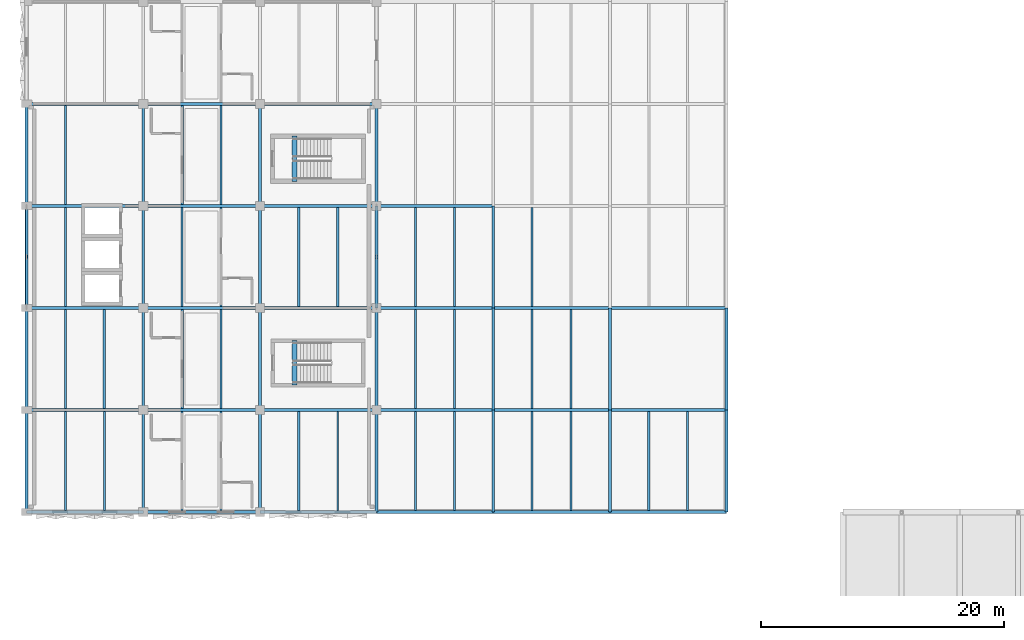
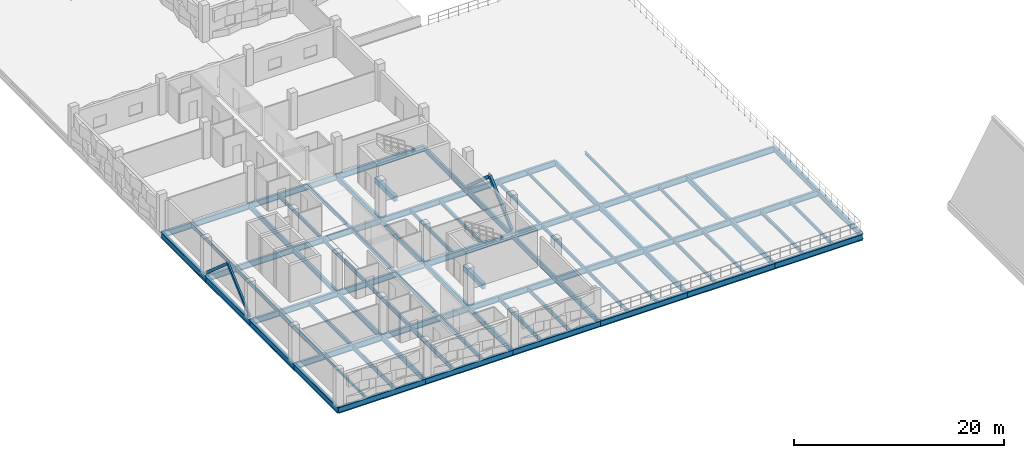
# One storey, part 3 of 86: 81 beams, 4 members.
"""IFC4 building model written with IfcOpenShell, lengths in metres."""

from ifc_helpers import new_model, si_unit, direction, frame, origin, origin_2d, place, context, subcontext, project, spatial, rectangle, hollow_rectangle, i_section, extrude, material, material_profile, profile_set, type_object, element, save


model = new_model("IFC4")

# Units and contexts
model_context = context("Model", 3, precision=1e-05, world=origin(), true_north=direction((0.0, 1.0)))
body_context = subcontext(model_context, "Body", "Model", "MODEL_VIEW")
ifc_project = project(units=[si_unit("LENGTHUNIT", "METRE"), si_unit("AREAUNIT", "SQUARE_METRE"), si_unit("VOLUMEUNIT", "CUBIC_METRE"), si_unit("PLANEANGLEUNIT", "RADIAN"), si_unit("MASSUNIT", "GRAM", prefix="KILO")], contexts=[model_context])

# Site, building, storey
site_placement = place(None, origin())
site = spatial("IfcSite", under=ifc_project, at=site_placement, CompositionType="ELEMENT")
building_placement = place(site_placement, origin())
building = spatial("IfcBuilding", under=site, at=building_placement, Name="Oolite Switchyard Hospital", CompositionType="ELEMENT")
storey_placement = place(building_placement, frame((0.0, 0.0, 13.5)))
storey = spatial("IfcBuildingStorey", under=building, at=storey_placement, Name="L03", CompositionType="ELEMENT", Elevation=13.5)

# Beams
ifc_material_1 = material(Name="Concrete C40/50", Category="concrete")
ifc_material_profile_1 = material_profile(ifc_material_1, rectangle(XDim=0.39990234375, YDim=0.60009765625, at=origin_2d()), Name="RCB400X600")
ifc_profile_set_1 = profile_set([ifc_material_profile_1], Name="Concrete C40/50")
beam_type_1 = type_object("IfcBeamType", Name="BM-RC400X600", PredefinedType="BEAM", material=ifc_profile_set_1)
beam_1_placement = place(storey_placement, frame((22.0400390625, 44.050048828125, -0.300048828125), z_axis=(0.0, 1.0, 0.0), x_axis=(-1.0, 0.0, 0.0)))
element("IfcBeam", 1, at=beam_1_placement, inside=storey, type_object=beam_type_1, Name="L03 ST-01 Stair Throat Trimmer Beam", PredefinedType="BEAM", context=body_context, shape_type="SweptSolid", body=[
    extrude(rectangle(XDim=0.39990234375, YDim=0.60009765625, at=origin_2d()), origin(), (0.0, 0.0, 1.0), 3.659912109375),
])
beam_2_placement = place(storey_placement, frame((22.0400390625, 60.824951171875, -0.300048828125), z_axis=(0.0, 1.0, 0.0), x_axis=(-1.0, 0.0, 0.0)))
element("IfcBeam", 2, at=beam_2_placement, inside=storey, type_object=beam_type_1, Name="L03 ST-02 Stair Throat Trimmer Beam", PredefinedType="BEAM", context=body_context, shape_type="SweptSolid", body=[
    extrude(rectangle(XDim=0.39990234375, YDim=0.60009765625, at=origin_2d()), origin(), (0.0, 0.0, 1.0), 3.7099609375),
])
ifc_material_2 = material(Name="Steel ASTM A992 Grade 50", Category="steel")
ifc_material_profile_2 = material_profile(ifc_material_2, i_section(OverallWidth=0.1650390625, OverallDepth=0.31005859375, WebThickness=0.006103515625, FlangeThickness=0.010009765625, at=origin_2d()), Name="W12X26")
ifc_profile_set_2 = profile_set([ifc_material_profile_2], Name="Steel ASTM A992 Grade 50")
beam_type_2 = type_object("IfcBeamType", Name="BM-W12X26", PredefinedType="JOIST", material=ifc_profile_set_2)
beam_3_placement = place(storey_placement, frame((3.199951171875, 33.72705078125, -0.429931640625), z_axis=(0.0, 1.0, 0.0), x_axis=(-1.0, 0.0, 0.0)))
element("IfcBeam", 3, at=beam_3_placement, inside=storey, type_object=beam_type_2, Name="L03 Secondary Steel Joist 2394", PredefinedType="JOIST", context=body_context, shape_type="SweptSolid", body=[
    extrude(i_section(OverallWidth=0.1650390625, OverallDepth=0.31005859375, WebThickness=0.006103515625, FlangeThickness=0.010009765625, at=origin_2d()), origin(), (0.0, 0.0, 1.0), 8.14599609375),
])
ifc_material_profile_3 = material_profile(ifc_material_2, i_section(OverallWidth=0.1708984375, OverallDepth=0.35107421875, WebThickness=0.007080078125, FlangeThickness=0.010009765625, at=origin_2d()), Name="W14X30")
ifc_profile_set_3 = profile_set([ifc_material_profile_3], Name="Steel ASTM A992 Grade 50")
beam_type_3 = type_object("IfcBeamType", Name="BM-W14X30", PredefinedType="JOIST", material=ifc_profile_set_3)
for number, where, z_axis, x_axis, name in (
    (4, (35.199951171875, 50.527099609375, -0.465087890625), (0.0, 1.0, 0.0), (-1.0, 0.0, 0.0), "L03 Secondary Steel Joist 2461"),
    (5, (44.800048828125, 42.126953125, -0.465087890625), (0.0, 1.0, 0.0), (-1.0, 0.0, 0.0), "L03 Secondary Steel Joist 2483"),
    (6, (41.60009765625, 50.527099609375, -0.465087890625), (0.0, 1.0, 0.0), (-1.0, 0.0, 0.0), "L03 Secondary Steel Joist 2484"),
    (7, (54.39990234375, 33.72705078125, -0.465087890625), (0.0, 1.0, 0.0), (-1.0, 0.0, 0.0), "L03 Secondary Steel Joist 2501"),
):
    element("IfcBeam", number, at=place(storey_placement, frame(where, z_axis=z_axis, x_axis=x_axis)), inside=storey, type_object=beam_type_3, Name=name, PredefinedType="JOIST", context=body_context, shape_type="SweptSolid", body=[
        extrude(i_section(OverallWidth=0.1708984375, OverallDepth=0.35107421875, WebThickness=0.007080078125, FlangeThickness=0.010009765625, at=origin_2d()), origin(), (0.0, 0.0, 1.0), 8.14599609375),
    ])
ifc_material_profile_4 = material_profile(ifc_material_2, i_section(OverallWidth=0.177978515625, OverallDepth=0.403076171875, WebThickness=0.008056640625, FlangeThickness=0.010986328125, at=origin_2d()), Name="W16X36")
ifc_profile_set_4 = profile_set([ifc_material_profile_4], Name="Steel ASTM A992 Grade 50")
beam_type_4 = type_object("IfcBeamType", Name="BM-W16X36", PredefinedType="JOIST", material=ifc_profile_set_4)
for number, where, z_axis, x_axis, name in (
    (8, (16.0, 58.927001953125, -0.47607421875), (0.0, 1.0, 0.0), (-1.0, 0.0, 0.0), "L03 Secondary Steel Joist 2421"),
    (9, (25.60009765625, 50.527099609375, -0.47607421875), (0.0, 1.0, 0.0), (-1.0, 0.0, 0.0), "L03 Secondary Steel Joist 2441"),
    (10, (35.199951171875, 42.126953125, -0.490966796875), (0.0, 1.0, 0.0), (-1.0, 0.0, 0.0), "L03 Secondary Steel Joist 2459"),
    (11, (32.0, 50.527099609375, -0.490966796875), (0.0, 1.0, 0.0), (-1.0, 0.0, 0.0), "L03 Secondary Steel Joist 2460"),
    (12, (44.800048828125, 33.72705078125, -0.490966796875), (0.0, 1.0, 0.0), (-1.0, 0.0, 0.0), "L03 Secondary Steel Joist 2481"),
    (13, (41.60009765625, 42.126953125, -0.490966796875), (0.0, 1.0, 0.0), (-1.0, 0.0, 0.0), "L03 Secondary Steel Joist 2482"),
    (14, (51.199951171875, 33.72705078125, -0.490966796875), (0.0, 1.0, 0.0), (-1.0, 0.0, 0.0), "L03 Secondary Steel Joist 2500"),
):
    element("IfcBeam", number, at=place(storey_placement, frame(where, z_axis=z_axis, x_axis=x_axis)), inside=storey, type_object=beam_type_4, Name=name, PredefinedType="JOIST", context=body_context, shape_type="SweptSolid", body=[
        extrude(i_section(OverallWidth=0.177978515625, OverallDepth=0.403076171875, WebThickness=0.008056640625, FlangeThickness=0.010986328125, at=origin_2d()), origin(), (0.0, 0.0, 1.0), 8.14599609375),
    ])
ifc_material_profile_5 = material_profile(ifc_material_2, i_section(OverallWidth=0.179931640625, OverallDepth=0.4130859375, WebThickness=0.010009765625, FlangeThickness=0.01611328125, at=origin_2d()), Name="W16X50")
ifc_profile_set_5 = profile_set([ifc_material_profile_5], Name="Steel ASTM A992 Grade 50")
beam_type_5 = type_object("IfcBeamType", Name="BM-W16X50", PredefinedType="JOIST", material=ifc_profile_set_5)
for number, where, z_axis, x_axis, name in (
    (15, (16.0, 50.527099609375, -0.48193359375), (0.0, 1.0, 0.0), (-1.0, 0.0, 0.0), "L03 Secondary Steel Joist 2419"),
    (16, (12.800048828125, 58.927001953125, -0.48193359375), (0.0, 1.0, 0.0), (-1.0, 0.0, 0.0), "L03 Secondary Steel Joist 2420"),
    (17, (22.39990234375, 50.527099609375, -0.48193359375), (0.0, 1.0, 0.0), (-1.0, 0.0, 0.0), "L03 Secondary Steel Joist 2440"),
    (18, (35.199951171875, 33.72705078125, -0.49609375), (0.0, 1.0, 0.0), (-1.0, 0.0, 0.0), "L03 Secondary Steel Joist 2457"),
    (19, (32.0, 42.126953125, -0.49609375), (0.0, 1.0, 0.0), (-1.0, 0.0, 0.0), "L03 Secondary Steel Joist 2458"),
    (20, (41.60009765625, 33.72705078125, -0.49609375), (0.0, 1.0, 0.0), (-1.0, 0.0, 0.0), "L03 Secondary Steel Joist 2480"),
):
    element("IfcBeam", number, at=place(storey_placement, frame(where, z_axis=z_axis, x_axis=x_axis)), inside=storey, type_object=beam_type_5, Name=name, PredefinedType="JOIST", context=body_context, shape_type="SweptSolid", body=[
        extrude(i_section(OverallWidth=0.179931640625, OverallDepth=0.4130859375, WebThickness=0.010009765625, FlangeThickness=0.01611328125, at=origin_2d()), origin(), (0.0, 0.0, 1.0), 8.14599609375),
    ])
ifc_material_profile_6 = material_profile(ifc_material_2, i_section(OverallWidth=0.153076171875, OverallDepth=0.455078125, WebThickness=0.008056640625, FlangeThickness=0.012939453125, at=origin_2d()), Name="W18X40")
ifc_profile_set_6 = profile_set([ifc_material_profile_6], Name="Steel ASTM A992 Grade 50")
beam_type_6 = type_object("IfcBeamType", Name="BM-W18X40", PredefinedType="JOIST", material=ifc_profile_set_6)
for number, where, z_axis, x_axis, name in (
    (21, (3.199951171875, 58.927001953125, -0.501953125), (0.0, 1.0, 0.0), (-1.0, 0.0, 0.0), "L03 Secondary Steel Joist 2399"),
    (22, (16.0, 42.126953125, -0.501953125), (0.0, 1.0, 0.0), (-1.0, 0.0, 0.0), "L03 Secondary Steel Joist 2417"),
    (23, (12.800048828125, 50.527099609375, -0.501953125), (0.0, 1.0, 0.0), (-1.0, 0.0, 0.0), "L03 Secondary Steel Joist 2418"),
    (24, (25.60009765625, 33.72705078125, -0.501953125), (0.0, 1.0, 0.0), (-1.0, 0.0, 0.0), "L03 Secondary Steel Joist 2439"),
    (25, (32.0, 33.72705078125, -0.51708984375), (0.0, 1.0, 0.0), (-1.0, 0.0, 0.0), "L03 Secondary Steel Joist 2456"),
):
    element("IfcBeam", number, at=place(storey_placement, frame(where, z_axis=z_axis, x_axis=x_axis)), inside=storey, type_object=beam_type_6, Name=name, PredefinedType="JOIST", context=body_context, shape_type="SweptSolid", body=[
        extrude(i_section(OverallWidth=0.153076171875, OverallDepth=0.455078125, WebThickness=0.008056640625, FlangeThickness=0.012939453125, at=origin_2d()), origin(), (0.0, 0.0, 1.0), 8.14599609375),
    ])
ifc_material_profile_7 = material_profile(ifc_material_2, i_section(OverallWidth=0.19091796875, OverallDepth=0.4599609375, WebThickness=0.010009765625, FlangeThickness=0.01611328125, at=origin_2d()), Name="W18X55")
ifc_profile_set_7 = profile_set([ifc_material_profile_7], Name="Steel ASTM A992 Grade 50")
beam_type_7 = type_object("IfcBeamType", Name="BM-W18X55", PredefinedType="JOIST", material=ifc_profile_set_7)
for number, where, z_axis, x_axis, name in (
    (26, (6.39990234375, 42.126953125, -0.5048828125), (0.0, 1.0, 0.0), (-1.0, 0.0, 0.0), "L03 Secondary Steel Joist 2397"),
    (27, (3.199951171875, 50.527099609375, -0.5048828125), (0.0, 1.0, 0.0), (-1.0, 0.0, 0.0), "L03 Secondary Steel Joist 2398"),
    (28, (16.0, 33.72705078125, -0.5048828125), (0.0, 1.0, 0.0), (-1.0, 0.0, 0.0), "L03 Secondary Steel Joist 2415"),
    (29, (12.800048828125, 42.126953125, -0.5048828125), (0.0, 1.0, 0.0), (-1.0, 0.0, 0.0), "L03 Secondary Steel Joist 2416"),
    (30, (22.39990234375, 33.72705078125, -0.5048828125), (0.0, 1.0, 0.0), (-1.0, 0.0, 0.0), "L03 Secondary Steel Joist 2438"),
):
    element("IfcBeam", number, at=place(storey_placement, frame(where, z_axis=z_axis, x_axis=x_axis)), inside=storey, type_object=beam_type_7, Name=name, PredefinedType="JOIST", context=body_context, shape_type="SweptSolid", body=[
        extrude(i_section(OverallWidth=0.19091796875, OverallDepth=0.4599609375, WebThickness=0.010009765625, FlangeThickness=0.01611328125, at=origin_2d()), origin(), (0.0, 0.0, 1.0), 8.14599609375),
    ])
ifc_material_profile_8 = material_profile(ifc_material_2, i_section(OverallWidth=0.166015625, OverallDepth=0.529052734375, WebThickness=0.010009765625, FlangeThickness=0.013916015625, at=origin_2d()), Name="W21X50")
ifc_profile_set_8 = profile_set([ifc_material_profile_8], Name="Steel ASTM A992 Grade 50")
beam_type_8 = type_object("IfcBeamType", Name="BM-W21X50", PredefinedType="JOIST", material=ifc_profile_set_8)
for number, where, z_axis, x_axis, name in (
    (31, (6.39990234375, 33.72705078125, -0.5400390625), (0.0, 1.0, 0.0), (-1.0, 0.0, 0.0), "L03 Secondary Steel Joist 2395"),
    (32, (3.199951171875, 42.126953125, -0.5400390625), (0.0, 1.0, 0.0), (-1.0, 0.0, 0.0), "L03 Secondary Steel Joist 2396"),
    (33, (12.800048828125, 33.72705078125, -0.5400390625), (0.0, 1.0, 0.0), (-1.0, 0.0, 0.0), "L03 Secondary Steel Joist 2414"),
):
    element("IfcBeam", number, at=place(storey_placement, frame(where, z_axis=z_axis, x_axis=x_axis)), inside=storey, type_object=beam_type_8, Name=name, PredefinedType="JOIST", context=body_context, shape_type="SweptSolid", body=[
        extrude(i_section(OverallWidth=0.166015625, OverallDepth=0.529052734375, WebThickness=0.010009765625, FlangeThickness=0.013916015625, at=origin_2d()), origin(), (0.0, 0.0, 1.0), 8.14599609375),
    ])
ifc_material_profile_9 = material_profile(ifc_material_2, i_section(OverallWidth=0.22900390625, OverallDepth=0.612060546875, WebThickness=0.011962890625, FlangeThickness=0.02001953125, at=origin_2d()), Name="W24X84")
ifc_profile_set_9 = profile_set([ifc_material_profile_9], Name="Steel ASTM A992 Grade 50")
beam_type_9 = type_object("IfcBeamType", Name="BM-W24X84", PredefinedType="BEAM", material=ifc_profile_set_9)
for number, where, z_axis, x_axis, name in (
    (34, (9.60009765625, 33.60009765625, -0.5810546875), (0.0, 1.0, 0.0), (-1.0, 0.0, 0.0), "L03 Y-Girder 2175"),
    (35, (9.60009765625, 42.0, -0.5810546875), (0.0, 1.0, 0.0), (-1.0, 0.0, 0.0), "L03 Y-Girder 2176"),
):
    element("IfcBeam", number, at=place(storey_placement, frame(where, z_axis=z_axis, x_axis=x_axis)), inside=storey, type_object=beam_type_9, Name=name, PredefinedType="BEAM", context=body_context, shape_type="SweptSolid", body=[
        extrude(i_section(OverallWidth=0.22900390625, OverallDepth=0.612060546875, WebThickness=0.011962890625, FlangeThickness=0.02001953125, at=origin_2d()), origin(), (0.0, 0.0, 1.0), 8.39990234375),
    ])
beam_4_placement = place(storey_placement, frame((9.60009765625, 50.39990234375, -0.5810546875), z_axis=(0.0, 1.0, 0.0), x_axis=(-1.0, 0.0, 0.0)))
element("IfcBeam", 36, at=beam_4_placement, inside=storey, type_object=beam_type_9, Name="L03 Y-Girder 2177", PredefinedType="BEAM", context=body_context, shape_type="SweptSolid", body=[
    extrude(i_section(OverallWidth=0.22900390625, OverallDepth=0.612060546875, WebThickness=0.011962890625, FlangeThickness=0.02001953125, at=origin_2d()), origin(), (0.0, 0.0, 1.0), 8.400146484375),
])
for number, where, z_axis, x_axis, name in (
    (37, (9.60009765625, 58.800048828125, -0.5810546875), (0.0, 1.0, 0.0), (-1.0, 0.0, 0.0), "L03 Y-Girder 2178"),
    (38, (19.199951171875, 33.60009765625, -0.5810546875), (0.0, 1.0, 0.0), (-1.0, 0.0, 0.0), "L03 Y-Girder 2187"),
    (39, (19.199951171875, 42.0, -0.5810546875), (0.0, 1.0, 0.0), (-1.0, 0.0, 0.0), "L03 Y-Girder 2188"),
):
    element("IfcBeam", number, at=place(storey_placement, frame(where, z_axis=z_axis, x_axis=x_axis)), inside=storey, type_object=beam_type_9, Name=name, PredefinedType="BEAM", context=body_context, shape_type="SweptSolid", body=[
        extrude(i_section(OverallWidth=0.22900390625, OverallDepth=0.612060546875, WebThickness=0.011962890625, FlangeThickness=0.02001953125, at=origin_2d()), origin(), (0.0, 0.0, 1.0), 8.39990234375),
    ])
beam_5_placement = place(storey_placement, frame((19.199951171875, 50.39990234375, -0.5810546875), z_axis=(0.0, 1.0, 0.0), x_axis=(-1.0, 0.0, 0.0)))
element("IfcBeam", 40, at=beam_5_placement, inside=storey, type_object=beam_type_9, Name="L03 Y-Girder 2189", PredefinedType="BEAM", context=body_context, shape_type="SweptSolid", body=[
    extrude(i_section(OverallWidth=0.22900390625, OverallDepth=0.612060546875, WebThickness=0.011962890625, FlangeThickness=0.02001953125, at=origin_2d()), origin(), (0.0, 0.0, 1.0), 8.400146484375),
])
for number, where, z_axis, x_axis, name in (
    (41, (19.199951171875, 58.800048828125, -0.5810546875), (0.0, 1.0, 0.0), (-1.0, 0.0, 0.0), "L03 Y-Girder 2190"),
    (42, (28.800048828125, 33.60009765625, -0.595947265625), (0.0, 1.0, 0.0), (-1.0, 0.0, 0.0), "L03 Y-Girder 2199"),
    (43, (28.800048828125, 42.0, -0.595947265625), (0.0, 1.0, 0.0), (-1.0, 0.0, 0.0), "L03 Y-Girder 2200"),
):
    element("IfcBeam", number, at=place(storey_placement, frame(where, z_axis=z_axis, x_axis=x_axis)), inside=storey, type_object=beam_type_9, Name=name, PredefinedType="BEAM", context=body_context, shape_type="SweptSolid", body=[
        extrude(i_section(OverallWidth=0.22900390625, OverallDepth=0.612060546875, WebThickness=0.011962890625, FlangeThickness=0.02001953125, at=origin_2d()), origin(), (0.0, 0.0, 1.0), 8.39990234375),
    ])
beam_6_placement = place(storey_placement, frame((28.800048828125, 50.39990234375, -0.595947265625), z_axis=(0.0, 1.0, 0.0), x_axis=(-1.0, 0.0, 0.0)))
element("IfcBeam", 44, at=beam_6_placement, inside=storey, type_object=beam_type_9, Name="L03 Y-Girder 2201", PredefinedType="BEAM", context=body_context, shape_type="SweptSolid", body=[
    extrude(i_section(OverallWidth=0.22900390625, OverallDepth=0.612060546875, WebThickness=0.011962890625, FlangeThickness=0.02001953125, at=origin_2d()), origin(), (0.0, 0.0, 1.0), 8.400146484375),
])
for number, where, z_axis, x_axis, name in (
    (45, (28.800048828125, 58.800048828125, -0.595947265625), (0.0, 1.0, 0.0), (-1.0, 0.0, 0.0), "L03 Y-Girder 2202"),
    (46, (38.39990234375, 33.60009765625, -0.595947265625), (0.0, 1.0, 0.0), (-1.0, 0.0, 0.0), "L03 Y-Girder 2211"),
    (47, (38.39990234375, 42.0, -0.595947265625), (0.0, 1.0, 0.0), (-1.0, 0.0, 0.0), "L03 Y-Girder 2212"),
):
    element("IfcBeam", number, at=place(storey_placement, frame(where, z_axis=z_axis, x_axis=x_axis)), inside=storey, type_object=beam_type_9, Name=name, PredefinedType="BEAM", context=body_context, shape_type="SweptSolid", body=[
        extrude(i_section(OverallWidth=0.22900390625, OverallDepth=0.612060546875, WebThickness=0.011962890625, FlangeThickness=0.02001953125, at=origin_2d()), origin(), (0.0, 0.0, 1.0), 8.39990234375),
    ])
beam_7_placement = place(storey_placement, frame((38.39990234375, 50.39990234375, -0.595947265625), z_axis=(0.0, 1.0, 0.0), x_axis=(-1.0, 0.0, 0.0)))
element("IfcBeam", 48, at=beam_7_placement, inside=storey, type_object=beam_type_9, Name="L03 Y-Girder 2213", PredefinedType="BEAM", context=body_context, shape_type="SweptSolid", body=[
    extrude(i_section(OverallWidth=0.22900390625, OverallDepth=0.612060546875, WebThickness=0.011962890625, FlangeThickness=0.02001953125, at=origin_2d()), origin(), (0.0, 0.0, 1.0), 8.400146484375),
])
for number, where, z_axis, x_axis, name in (
    (49, (48.0, 33.60009765625, -0.595947265625), (0.0, 1.0, 0.0), (-1.0, 0.0, 0.0), "L03 Y-Girder 2223"),
    (50, (48.0, 42.0, -0.595947265625), (0.0, 1.0, 0.0), (-1.0, 0.0, 0.0), "L03 Y-Girder 2224"),
    (51, (57.60009765625, 33.60009765625, -0.595947265625), (0.0, 1.0, 0.0), (-1.0, 0.0, 0.0), "L03 Y-Girder 2234"),
    (52, (57.60009765625, 42.0, -0.595947265625), (0.0, 1.0, 0.0), (-1.0, 0.0, 0.0), "L03 Y-Girder 2235"),
):
    element("IfcBeam", number, at=place(storey_placement, frame(where, z_axis=z_axis, x_axis=x_axis)), inside=storey, type_object=beam_type_9, Name=name, PredefinedType="BEAM", context=body_context, shape_type="SweptSolid", body=[
        extrude(i_section(OverallWidth=0.22900390625, OverallDepth=0.612060546875, WebThickness=0.011962890625, FlangeThickness=0.02001953125, at=origin_2d()), origin(), (0.0, 0.0, 1.0), 8.39990234375),
    ])
ifc_material_profile_10 = material_profile(ifc_material_2, i_section(OverallWidth=0.25390625, OverallDepth=0.68408203125, WebThickness=0.011962890625, FlangeThickness=0.01904296875, at=origin_2d()), Name="W27X94")
ifc_profile_set_10 = profile_set([ifc_material_profile_10], Name="Steel ASTM A992 Grade 50")
beam_type_10 = type_object("IfcBeamType", Name="BM-W27X94", PredefinedType="BEAM", material=ifc_profile_set_10)
beam_8_placement = place(storey_placement, frame((0.0, 33.60009765625, -0.616943359375), z_axis=(1.0, 0.0, 0.0), x_axis=(0.0, 1.0, 0.0)))
element("IfcBeam", 53, at=beam_8_placement, inside=storey, type_object=beam_type_10, Name="L03 X-Girder 1949", PredefinedType="BEAM", context=body_context, shape_type="SweptSolid", body=[
    extrude(i_section(OverallWidth=0.25390625, OverallDepth=0.68408203125, WebThickness=0.011962890625, FlangeThickness=0.01904296875, at=origin_2d()), origin(), (0.0, 0.0, 1.0), 9.60009765625),
])
beam_9_placement = place(storey_placement, frame((9.60009765625, 33.60009765625, -0.616943359375), z_axis=(1.0, 0.0, 0.0), x_axis=(0.0, 1.0, 0.0)))
element("IfcBeam", 54, at=beam_9_placement, inside=storey, type_object=beam_type_10, Name="L03 X-Girder 1950", PredefinedType="BEAM", context=body_context, shape_type="SweptSolid", body=[
    extrude(i_section(OverallWidth=0.25390625, OverallDepth=0.68408203125, WebThickness=0.011962890625, FlangeThickness=0.01904296875, at=origin_2d()), origin(), (0.0, 0.0, 1.0), 9.599853515625),
])
beam_10_placement = place(storey_placement, frame((19.199951171875, 33.60009765625, -0.616943359375), z_axis=(1.0, 0.0, 0.0), x_axis=(0.0, 1.0, 0.0)))
element("IfcBeam", 55, at=beam_10_placement, inside=storey, type_object=beam_type_10, Name="L03 X-Girder 1951", PredefinedType="BEAM", context=body_context, shape_type="SweptSolid", body=[
    extrude(i_section(OverallWidth=0.25390625, OverallDepth=0.68408203125, WebThickness=0.011962890625, FlangeThickness=0.01904296875, at=origin_2d()), origin(), (0.0, 0.0, 1.0), 9.60009765625),
])
beam_11_placement = place(storey_placement, frame((28.800048828125, 33.60009765625, -0.632080078125), z_axis=(1.0, 0.0, 0.0), x_axis=(0.0, 1.0, 0.0)))
element("IfcBeam", 56, at=beam_11_placement, inside=storey, type_object=beam_type_10, Name="L03 X-Girder 1952", PredefinedType="BEAM", context=body_context, shape_type="SweptSolid", body=[
    extrude(i_section(OverallWidth=0.25390625, OverallDepth=0.68408203125, WebThickness=0.011962890625, FlangeThickness=0.01904296875, at=origin_2d()), origin(), (0.0, 0.0, 1.0), 9.599853515625),
])
for number, where, z_axis, x_axis, name in (
    (57, (38.39990234375, 33.60009765625, -0.632080078125), (1.0, 0.0, 0.0), (0.0, 1.0, 0.0), "L03 X-Girder 1953"),
    (58, (48.0, 33.60009765625, -0.632080078125), (1.0, 0.0, 0.0), (0.0, 1.0, 0.0), "L03 X-Girder 1954"),
    (59, (0.0, 42.0, -0.616943359375), (1.0, 0.0, 0.0), (0.0, 1.0, 0.0), "L03 X-Girder 1963"),
):
    element("IfcBeam", number, at=place(storey_placement, frame(where, z_axis=z_axis, x_axis=x_axis)), inside=storey, type_object=beam_type_10, Name=name, PredefinedType="BEAM", context=body_context, shape_type="SweptSolid", body=[
        extrude(i_section(OverallWidth=0.25390625, OverallDepth=0.68408203125, WebThickness=0.011962890625, FlangeThickness=0.01904296875, at=origin_2d()), origin(), (0.0, 0.0, 1.0), 9.60009765625),
    ])
beam_12_placement = place(storey_placement, frame((9.60009765625, 42.0, -0.616943359375), z_axis=(1.0, 0.0, 0.0), x_axis=(0.0, 1.0, 0.0)))
element("IfcBeam", 60, at=beam_12_placement, inside=storey, type_object=beam_type_10, Name="L03 X-Girder 1964", PredefinedType="BEAM", context=body_context, shape_type="SweptSolid", body=[
    extrude(i_section(OverallWidth=0.25390625, OverallDepth=0.68408203125, WebThickness=0.011962890625, FlangeThickness=0.01904296875, at=origin_2d()), origin(), (0.0, 0.0, 1.0), 9.599853515625),
])
beam_13_placement = place(storey_placement, frame((19.199951171875, 42.0, -0.616943359375), z_axis=(1.0, 0.0, 0.0), x_axis=(0.0, 1.0, 0.0)))
element("IfcBeam", 61, at=beam_13_placement, inside=storey, type_object=beam_type_10, Name="L03 X-Girder 1965", PredefinedType="BEAM", context=body_context, shape_type="SweptSolid", body=[
    extrude(i_section(OverallWidth=0.25390625, OverallDepth=0.68408203125, WebThickness=0.011962890625, FlangeThickness=0.01904296875, at=origin_2d()), origin(), (0.0, 0.0, 1.0), 9.60009765625),
])
beam_14_placement = place(storey_placement, frame((28.800048828125, 42.0, -0.632080078125), z_axis=(1.0, 0.0, 0.0), x_axis=(0.0, 1.0, 0.0)))
element("IfcBeam", 62, at=beam_14_placement, inside=storey, type_object=beam_type_10, Name="L03 X-Girder 1966", PredefinedType="BEAM", context=body_context, shape_type="SweptSolid", body=[
    extrude(i_section(OverallWidth=0.25390625, OverallDepth=0.68408203125, WebThickness=0.011962890625, FlangeThickness=0.01904296875, at=origin_2d()), origin(), (0.0, 0.0, 1.0), 9.599853515625),
])
for number, where, z_axis, x_axis, name in (
    (63, (38.39990234375, 42.0, -0.632080078125), (1.0, 0.0, 0.0), (0.0, 1.0, 0.0), "L03 X-Girder 1967"),
    (64, (48.0, 42.0, -0.632080078125), (1.0, 0.0, 0.0), (0.0, 1.0, 0.0), "L03 X-Girder 1968"),
    (65, (0.0, 50.39990234375, -0.616943359375), (1.0, 0.0, 0.0), (0.0, 1.0, 0.0), "L03 X-Girder 1975"),
):
    element("IfcBeam", number, at=place(storey_placement, frame(where, z_axis=z_axis, x_axis=x_axis)), inside=storey, type_object=beam_type_10, Name=name, PredefinedType="BEAM", context=body_context, shape_type="SweptSolid", body=[
        extrude(i_section(OverallWidth=0.25390625, OverallDepth=0.68408203125, WebThickness=0.011962890625, FlangeThickness=0.01904296875, at=origin_2d()), origin(), (0.0, 0.0, 1.0), 9.60009765625),
    ])
beam_15_placement = place(storey_placement, frame((9.60009765625, 50.39990234375, -0.616943359375), z_axis=(1.0, 0.0, 0.0), x_axis=(0.0, 1.0, 0.0)))
element("IfcBeam", 66, at=beam_15_placement, inside=storey, type_object=beam_type_10, Name="L03 X-Girder 1976", PredefinedType="BEAM", context=body_context, shape_type="SweptSolid", body=[
    extrude(i_section(OverallWidth=0.25390625, OverallDepth=0.68408203125, WebThickness=0.011962890625, FlangeThickness=0.01904296875, at=origin_2d()), origin(), (0.0, 0.0, 1.0), 9.599853515625),
])
beam_16_placement = place(storey_placement, frame((19.199951171875, 50.39990234375, -0.616943359375), z_axis=(1.0, 0.0, 0.0), x_axis=(0.0, 1.0, 0.0)))
element("IfcBeam", 67, at=beam_16_placement, inside=storey, type_object=beam_type_10, Name="L03 X-Girder 1977", PredefinedType="BEAM", context=body_context, shape_type="SweptSolid", body=[
    extrude(i_section(OverallWidth=0.25390625, OverallDepth=0.68408203125, WebThickness=0.011962890625, FlangeThickness=0.01904296875, at=origin_2d()), origin(), (0.0, 0.0, 1.0), 9.60009765625),
])
beam_17_placement = place(storey_placement, frame((28.800048828125, 50.39990234375, -0.632080078125), z_axis=(1.0, 0.0, 0.0), x_axis=(0.0, 1.0, 0.0)))
element("IfcBeam", 68, at=beam_17_placement, inside=storey, type_object=beam_type_10, Name="L03 X-Girder 1978", PredefinedType="BEAM", context=body_context, shape_type="SweptSolid", body=[
    extrude(i_section(OverallWidth=0.25390625, OverallDepth=0.68408203125, WebThickness=0.011962890625, FlangeThickness=0.01904296875, at=origin_2d()), origin(), (0.0, 0.0, 1.0), 9.599853515625),
])
for number, where, z_axis, x_axis, name in (
    (69, (38.39990234375, 50.39990234375, -0.632080078125), (1.0, 0.0, 0.0), (0.0, 1.0, 0.0), "L03 X-Girder 1979"),
    (70, (48.0, 50.39990234375, -0.632080078125), (1.0, 0.0, 0.0), (0.0, 1.0, 0.0), "L03 X-Girder 1980"),
    (71, (0.0, 58.800048828125, -0.616943359375), (1.0, 0.0, 0.0), (0.0, 1.0, 0.0), "L03 X-Girder 1991"),
):
    element("IfcBeam", number, at=place(storey_placement, frame(where, z_axis=z_axis, x_axis=x_axis)), inside=storey, type_object=beam_type_10, Name=name, PredefinedType="BEAM", context=body_context, shape_type="SweptSolid", body=[
        extrude(i_section(OverallWidth=0.25390625, OverallDepth=0.68408203125, WebThickness=0.011962890625, FlangeThickness=0.01904296875, at=origin_2d()), origin(), (0.0, 0.0, 1.0), 9.60009765625),
    ])
beam_18_placement = place(storey_placement, frame((9.60009765625, 58.800048828125, -0.616943359375), z_axis=(1.0, 0.0, 0.0), x_axis=(0.0, 1.0, 0.0)))
element("IfcBeam", 72, at=beam_18_placement, inside=storey, type_object=beam_type_10, Name="L03 X-Girder 1992", PredefinedType="BEAM", context=body_context, shape_type="SweptSolid", body=[
    extrude(i_section(OverallWidth=0.25390625, OverallDepth=0.68408203125, WebThickness=0.011962890625, FlangeThickness=0.01904296875, at=origin_2d()), origin(), (0.0, 0.0, 1.0), 9.599853515625),
])
beam_19_placement = place(storey_placement, frame((19.199951171875, 58.800048828125, -0.616943359375), z_axis=(1.0, 0.0, 0.0), x_axis=(0.0, 1.0, 0.0)))
element("IfcBeam", 73, at=beam_19_placement, inside=storey, type_object=beam_type_10, Name="L03 X-Girder 1993", PredefinedType="BEAM", context=body_context, shape_type="SweptSolid", body=[
    extrude(i_section(OverallWidth=0.25390625, OverallDepth=0.68408203125, WebThickness=0.011962890625, FlangeThickness=0.01904296875, at=origin_2d()), origin(), (0.0, 0.0, 1.0), 9.60009765625),
])
beam_20_placement = place(storey_placement, frame((28.800048828125, 58.800048828125, -0.632080078125), z_axis=(1.0, 0.0, 0.0), x_axis=(0.0, 1.0, 0.0)))
element("IfcBeam", 74, at=beam_20_placement, inside=storey, type_object=beam_type_10, Name="L03 X-Girder 1994", PredefinedType="BEAM", context=body_context, shape_type="SweptSolid", body=[
    extrude(i_section(OverallWidth=0.25390625, OverallDepth=0.68408203125, WebThickness=0.011962890625, FlangeThickness=0.01904296875, at=origin_2d()), origin(), (0.0, 0.0, 1.0), 9.599853515625),
])
beam_21_placement = place(storey_placement, frame((0.0, 67.199951171875, -0.616943359375), z_axis=(1.0, 0.0, 0.0), x_axis=(0.0, 1.0, 0.0)))
element("IfcBeam", 75, at=beam_21_placement, inside=storey, type_object=beam_type_10, Name="L03 X-Girder 2007", PredefinedType="BEAM", context=body_context, shape_type="SweptSolid", body=[
    extrude(i_section(OverallWidth=0.25390625, OverallDepth=0.68408203125, WebThickness=0.011962890625, FlangeThickness=0.01904296875, at=origin_2d()), origin(), (0.0, 0.0, 1.0), 9.60009765625),
])
beam_22_placement = place(storey_placement, frame((9.60009765625, 67.199951171875, -0.616943359375), z_axis=(1.0, 0.0, 0.0), x_axis=(0.0, 1.0, 0.0)))
element("IfcBeam", 76, at=beam_22_placement, inside=storey, type_object=beam_type_10, Name="L03 X-Girder 2008", PredefinedType="BEAM", context=body_context, shape_type="SweptSolid", body=[
    extrude(i_section(OverallWidth=0.25390625, OverallDepth=0.68408203125, WebThickness=0.011962890625, FlangeThickness=0.01904296875, at=origin_2d()), origin(), (0.0, 0.0, 1.0), 9.599853515625),
])
beam_23_placement = place(storey_placement, frame((19.199951171875, 67.199951171875, -0.616943359375), z_axis=(1.0, 0.0, 0.0), x_axis=(0.0, 1.0, 0.0)))
element("IfcBeam", 77, at=beam_23_placement, inside=storey, type_object=beam_type_10, Name="L03 X-Girder 2009", PredefinedType="BEAM", context=body_context, shape_type="SweptSolid", body=[
    extrude(i_section(OverallWidth=0.25390625, OverallDepth=0.68408203125, WebThickness=0.011962890625, FlangeThickness=0.01904296875, at=origin_2d()), origin(), (0.0, 0.0, 1.0), 9.60009765625),
])
for number, where, z_axis, x_axis, name in (
    (78, (0.0, 33.60009765625, -0.616943359375), (0.0, 1.0, 0.0), (-1.0, 0.0, 0.0), "L03 Y-Girder 2164"),
    (79, (0.0, 42.0, -0.616943359375), (0.0, 1.0, 0.0), (-1.0, 0.0, 0.0), "L03 Y-Girder 2165"),
):
    element("IfcBeam", number, at=place(storey_placement, frame(where, z_axis=z_axis, x_axis=x_axis)), inside=storey, type_object=beam_type_10, Name=name, PredefinedType="BEAM", context=body_context, shape_type="SweptSolid", body=[
        extrude(i_section(OverallWidth=0.25390625, OverallDepth=0.68408203125, WebThickness=0.011962890625, FlangeThickness=0.01904296875, at=origin_2d()), origin(), (0.0, 0.0, 1.0), 8.39990234375),
    ])
beam_24_placement = place(storey_placement, frame((0.0, 50.39990234375, -0.616943359375), z_axis=(0.0, 1.0, 0.0), x_axis=(-1.0, 0.0, 0.0)))
element("IfcBeam", 80, at=beam_24_placement, inside=storey, type_object=beam_type_10, Name="L03 Y-Girder 2166", PredefinedType="BEAM", context=body_context, shape_type="SweptSolid", body=[
    extrude(i_section(OverallWidth=0.25390625, OverallDepth=0.68408203125, WebThickness=0.011962890625, FlangeThickness=0.01904296875, at=origin_2d()), origin(), (0.0, 0.0, 1.0), 8.400146484375),
])
beam_25_placement = place(storey_placement, frame((0.0, 58.800048828125, -0.616943359375), z_axis=(0.0, 1.0, 0.0), x_axis=(-1.0, 0.0, 0.0)))
element("IfcBeam", 81, at=beam_25_placement, inside=storey, type_object=beam_type_10, Name="L03 Y-Girder 2167", PredefinedType="BEAM", context=body_context, shape_type="SweptSolid", body=[
    extrude(i_section(OverallWidth=0.25390625, OverallDepth=0.68408203125, WebThickness=0.011962890625, FlangeThickness=0.01904296875, at=origin_2d()), origin(), (0.0, 0.0, 1.0), 8.39990234375),
])

# Members
ifc_material_3 = material(Name="Steel ASTM A500 Grade C", Category="steel")
ifc_material_profile_11 = material_profile(ifc_material_3, hollow_rectangle(XDim=0.202880859375, YDim=0.304931640625, WallThickness=0.012939453125, at=origin_2d()), Name="HSS305X203X13")
ifc_profile_set_11 = profile_set([ifc_material_profile_11], Name="Steel ASTM A500 Grade C")
member_type_1 = type_object("IfcMemberType", Name="MEM-BR-RHS305", PredefinedType="BRACE", material=ifc_profile_set_11)
member_1_placement = place(storey_placement, frame((0.0, 50.39990234375, 0.02001953125), z_axis=(0.0, 0.752154044826, 0.658987323742), x_axis=(-1.0, 0.0, 0.0)))
element("IfcMember", 82, at=member_1_placement, inside=storey, type_object=member_type_1, Name="L03 Chevron Brace 7", PredefinedType="BRACE", context=body_context, shape_type="SweptSolid", body=[
    extrude(hollow_rectangle(XDim=0.202880859375, YDim=0.304931640625, WallThickness=0.012939453125, at=origin_2d()), origin(), (0.0, 0.0, 1.0), 5.584228515625),
])
member_2_placement = place(storey_placement, frame((0.0, 58.800048828125, 0.02001953125), z_axis=(0.0, -0.752135057976, 0.659008994296), x_axis=(1.0, 0.0, 0.0)))
element("IfcMember", 83, at=member_2_placement, inside=storey, type_object=member_type_1, Name="L03 Chevron Brace 8", PredefinedType="BRACE", context=body_context, shape_type="SweptSolid", body=[
    extrude(hollow_rectangle(XDim=0.202880859375, YDim=0.304931640625, WallThickness=0.012939453125, at=origin_2d()), origin(), (0.0, 0.0, 1.0), 5.583984375),
])
ifc_material_profile_12 = material_profile(ifc_material_3, hollow_rectangle(XDim=0.25390625, YDim=0.35595703125, WallThickness=0.012939453125, at=origin_2d()), Name="HSS356X254X13")
ifc_profile_set_12 = profile_set([ifc_material_profile_12], Name="Steel ASTM A500 Grade C")
member_type_2 = type_object("IfcMemberType", Name="MEM-BR-RHS356", PredefinedType="BRACE", material=ifc_profile_set_12)
member_3_placement = place(storey_placement, frame((28.800048828125, 50.39990234375, 0.02001953125), z_axis=(0.0, 0.747720964156, 0.664013071981), x_axis=(-1.0, 0.0, 0.0)))
element("IfcMember", 84, at=member_3_placement, inside=storey, type_object=member_type_2, Name="L03 Chevron Brace 21", PredefinedType="BRACE", context=body_context, shape_type="SweptSolid", body=[
    extrude(hollow_rectangle(XDim=0.25390625, YDim=0.35595703125, WallThickness=0.012939453125, at=origin_2d()), origin(), (0.0, 0.0, 1.0), 5.617431640625),
])
member_4_placement = place(storey_placement, frame((28.800048828125, 58.800048828125, 0.02001953125), z_axis=(0.0, -0.747701800227, 0.664034651157), x_axis=(1.0, 0.0, 0.0)))
element("IfcMember", 85, at=member_4_placement, inside=storey, type_object=member_type_2, Name="L03 Chevron Brace 22", PredefinedType="BRACE", context=body_context, shape_type="SweptSolid", body=[
    extrude(hollow_rectangle(XDim=0.25390625, YDim=0.35595703125, WallThickness=0.012939453125, at=origin_2d()), origin(), (0.0, 0.0, 1.0), 5.6171875),
])

save(model, "model.ifc")
